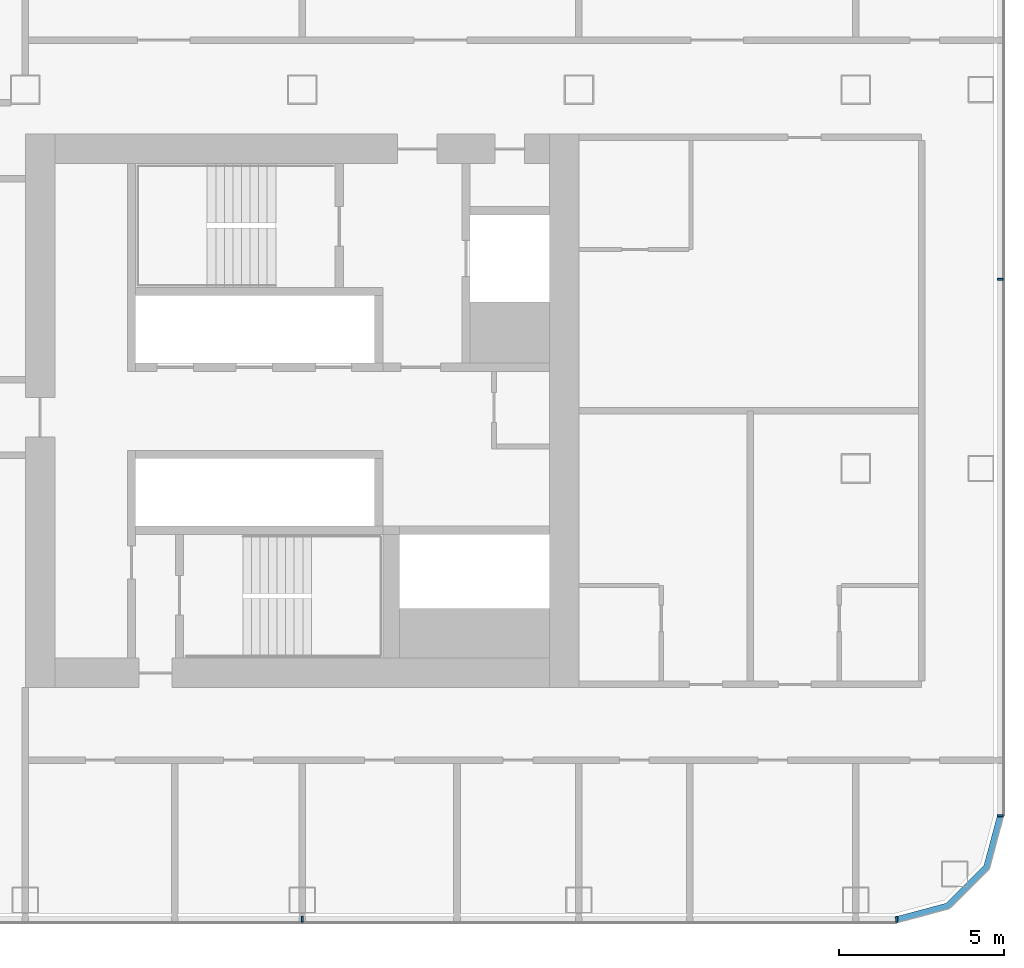
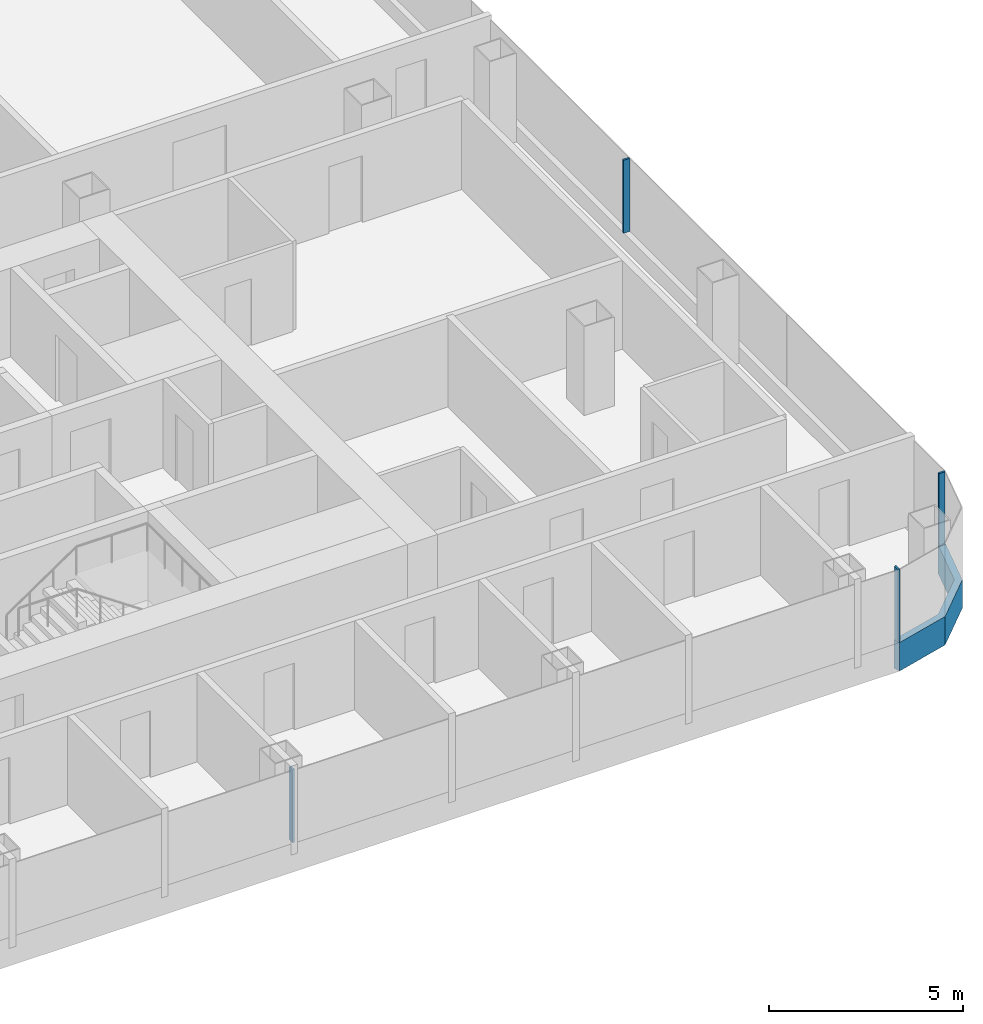
# One storey, part 11 of 29: 5 members, 3 elements without a shape of their own.
"""IFC4 building model written with IfcOpenShell, lengths in metres."""

from ifc_helpers import new_model, si_unit, direction, frame, origin, origin_2d, place, context, subcontext, project, spatial, polyline, rectangle, outline, extrude, material, layer, layer_set, material_profile, profile_set, type_object, element, aggregate, save


model = new_model("IFC4")

# Units and contexts
model_context = context("Model", 3, precision=1e-05, world=origin(), true_north=direction((0.0, 1.0)))
body_context = subcontext(model_context, "Body", "Model", "MODEL_VIEW")
ifc_project = project(units=[si_unit("LENGTHUNIT", "METRE"), si_unit("AREAUNIT", "SQUARE_METRE"), si_unit("VOLUMEUNIT", "CUBIC_METRE"), si_unit("PLANEANGLEUNIT", "RADIAN"), si_unit("MASSUNIT", "GRAM", prefix="KILO")], contexts=[model_context])

# Site, building, storey
site_placement = place(None, origin())
site = spatial("IfcSite", under=ifc_project, at=site_placement, CompositionType="ELEMENT")
building_placement = place(site_placement, origin())
building = spatial("IfcBuilding", under=site, at=building_placement, Name="Hakoniwa Tower and Hamabe Station Hall", CompositionType="ELEMENT")
storey_placement = place(building_placement, frame((0.0, 0.0, 85.0)))
storey = spatial("IfcBuildingStorey", under=building, at=storey_placement, Name="L23", CompositionType="ELEMENT", Elevation=85.0)

# Curtain wall, member
ifc_material_1 = material(Name="Dark low-e laminated glass", Category="glass")
ifc_layer = layer(ifc_material_1, 0.199951171875)
ifc_layer_set = layer_set([ifc_layer], Name="CW-1 UNITISED GUEST")
curtain_wall_type = type_object("IfcCurtainWallType", Name="CW-1 UNITISED GUEST", PredefinedType="NOTDEFINED", material=ifc_layer_set)
curtain_wall_1_placement = place(storey_placement, origin())
curtain_wall_1 = element("IfcCurtainWall", 1, at=curtain_wall_1_placement, inside=storey, type_object=curtain_wall_type, Name="CW-1 curtain wall", PredefinedType="NOTDEFINED")
ifc_material_2 = material(Name="Aluminium 6063-T5 black anodised", Category="aluminium")
ifc_material_profile_1 = material_profile(ifc_material_2, rectangle(XDim=0.199951171875, YDim=0.89990234375, at=origin_2d()), Name="CW SLAB-EDGE BAND 900X200")
ifc_profile_set_1 = profile_set([ifc_material_profile_1], Name="Aluminium 6063-T5 black anodised")
member_type_1 = type_object("IfcMemberType", Name="CW SLAB-EDGE BAND 900X200", PredefinedType="USERDEFINED", material=ifc_profile_set_1)
member_1_placement = place(storey_placement, frame((0.0, 0.0, -0.550048828125)))
member_1 = element("IfcMember", 2, at=member_1_placement, type_object=member_type_1, Name="CW-1 transom", ObjectType="TRANSOM", PredefinedType="USERDEFINED", context=body_context, shape_type="SweptSolid", body=[
    extrude(outline(polyline([(43.239501953125, -15.550048828125), (44.855224609375, -15.116943359375), (46.067138671875, -13.9052734375), (46.5, -12.28955078125), (46.306884765625, -12.23779296875), (45.8876953125, -13.8017578125), (44.751708984375, -14.937744140625), (43.187744140625, -15.35693359375), (43.239501953125, -15.550048828125)])), origin(), (0.0, 0.0, 1.0), 0.900146484375),
])
aggregate(curtain_wall_1, [member_1])

# Curtain wall, members
curtain_wall_2_placement = place(storey_placement, origin())
curtain_wall_2 = element("IfcCurtainWall", 3, at=curtain_wall_2_placement, inside=storey, type_object=curtain_wall_type, Name="CW-1 curtain wall", PredefinedType="NOTDEFINED")
ifc_material_3 = material(Name="Aluminium 6063-T5 black anodised", Category="aluminium")
ifc_material_profile_2 = material_profile(ifc_material_3, rectangle(XDim=0.06005859375, YDim=0.179931640625, at=origin_2d()), Name="CW-1 MULLION 60X180")
ifc_profile_set_2 = profile_set([ifc_material_profile_2], Name="Aluminium 6063-T5 black anodised")
member_type_2 = type_object("IfcMemberType", Name="CW-1 MULLION 60X180", PredefinedType="MULLION", material=ifc_profile_set_2)
member_2_placement = place(storey_placement, frame((46.382080078125, -12.28955078125, 0.35009765625), z_axis=(0.0, 0.0, 1.0), x_axis=(0.0, 1.0, 0.0)))
member_2 = element("IfcMember", 4, at=member_2_placement, type_object=member_type_2, Name="CW-1 mullion", PredefinedType="MULLION", context=body_context, shape_type="SweptSolid", body=[
    extrude(rectangle(XDim=0.06005859375, YDim=0.179931640625, at=origin_2d()), origin(), (0.0, 0.0, 1.0), 2.2998046875),
])
member_3_placement = place(storey_placement, frame((46.382080078125, 4.0, 0.35009765625), z_axis=(0.0, 0.0, 1.0), x_axis=(0.0, 1.0, 0.0)))
member_3 = element("IfcMember", 5, at=member_3_placement, type_object=member_type_2, Name="CW-1 mullion", PredefinedType="MULLION", context=body_context, shape_type="SweptSolid", body=[
    extrude(rectangle(XDim=0.06005859375, YDim=0.179931640625, at=origin_2d()), origin(), (0.0, 0.0, 1.0), 2.2998046875),
])
aggregate(curtain_wall_2, [member_2, member_3])

curtain_wall_3_placement = place(storey_placement, origin())
curtain_wall_3 = element("IfcCurtainWall", 6, at=curtain_wall_3_placement, inside=storey, type_object=curtain_wall_type, Name="CW-1 curtain wall", PredefinedType="NOTDEFINED")
member_4_placement = place(storey_placement, frame((25.199951171875, -15.431884765625, 0.35009765625), z_axis=(0.0, 0.0, 1.0), x_axis=(1.0, 0.0, 0.0)))
member_4 = element("IfcMember", 7, at=member_4_placement, type_object=member_type_2, Name="CW-1 mullion", PredefinedType="MULLION", context=body_context, shape_type="SweptSolid", body=[
    extrude(rectangle(XDim=0.06005859375, YDim=0.179931640625, at=origin_2d()), origin(), (0.0, 0.0, 1.0), 2.2998046875),
])
member_5_placement = place(storey_placement, frame((43.239501953125, -15.431884765625, 0.35009765625), z_axis=(0.0, 0.0, 1.0), x_axis=(1.0, 0.0, 0.0)))
member_5 = element("IfcMember", 8, at=member_5_placement, type_object=member_type_2, Name="CW-1 mullion", PredefinedType="MULLION", context=body_context, shape_type="SweptSolid", body=[
    extrude(rectangle(XDim=0.06005859375, YDim=0.179931640625, at=origin_2d()), origin(), (0.0, 0.0, 1.0), 2.2998046875),
])
aggregate(curtain_wall_3, [member_4, member_5])

save(model, "model.ifc")
